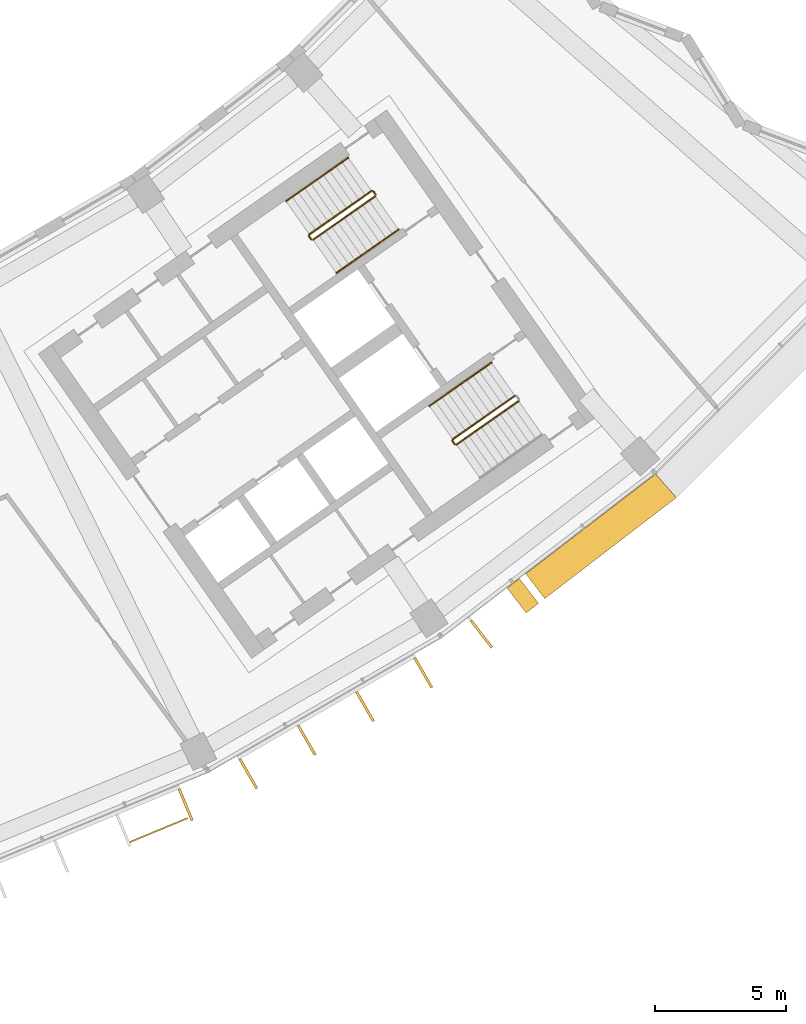
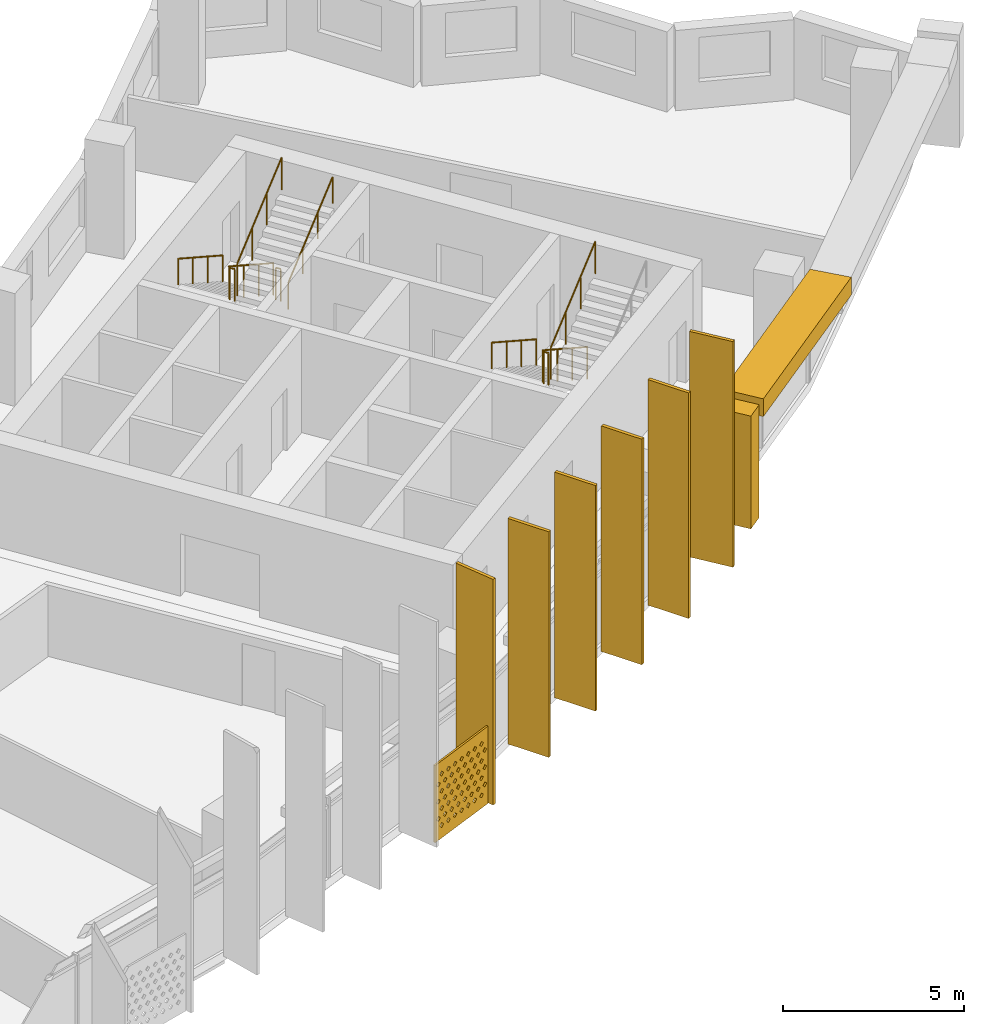
# One storey, part 27 of 28: 9 shading devices, 8 railings.
"""IFC4 building model written with IfcOpenShell, lengths in metres."""

from ifc_helpers import new_model, si_unit, direction, frame, origin, origin_2d, place, context, subcontext, project, spatial, polyline, rectangle, circle, outline, extrude, material, material_profile, profile_set, type_object, element, save


model = new_model("IFC4")

# Units and contexts
model_context = context("Model", 3, precision=1e-05, world=origin(), true_north=direction((0.0, 1.0)))
body_context = subcontext(model_context, "Body", "Model", "MODEL_VIEW")
ifc_project = project(units=[si_unit("LENGTHUNIT", "METRE"), si_unit("AREAUNIT", "SQUARE_METRE"), si_unit("VOLUMEUNIT", "CUBIC_METRE"), si_unit("PLANEANGLEUNIT", "RADIAN"), si_unit("MASSUNIT", "GRAM", prefix="KILO")], contexts=[model_context])

# Site, building, storey
site_placement = place(None, origin())
site = spatial("IfcSite", under=ifc_project, at=site_placement, CompositionType="ELEMENT")
building_placement = place(site_placement, origin())
building = spatial("IfcBuilding", under=site, at=building_placement, Name="Qamariyya Broadcast Tower", CompositionType="ELEMENT")
storey_placement = place(building_placement, frame((0.0, 0.0, 218.89990234375)))
storey = spatial("IfcBuildingStorey", under=building, at=storey_placement, Name="L52", CompositionType="ELEMENT", Elevation=218.89990234375)

# Shading devices
ifc_material_1 = material(Name="Steel S355 powder coated deep red", Category="steel")
shading_device_type_1 = type_object("IfcShadingDeviceType", Name="Deep red frame, powder coated steel box section", PredefinedType="USERDEFINED", material=ifc_material_1)
shading_device_1_placement = place(storey_placement, origin())
element("IfcShadingDevice", 1, at=shading_device_1_placement, inside=storey, type_object=shading_device_type_1, Name="e-frm-B4-F4-posta-L52", ObjectType="FRAME", PredefinedType="USERDEFINED", context=body_context, shape_type="SweptSolid", body=[
    extrude(outline(polyline([(46.17822265625, -63.489990234375), (46.90869140625, -64.442138671875), (47.384765625, -64.076904296875), (46.654296875, -63.124755859375), (46.17822265625, -63.489990234375)])), origin(), (0.0, 0.0, 1.0), 3.800048828125),
])
shading_device_2_placement = place(storey_placement, frame((0.0, 0.0, 3.2001953125)))
element("IfcShadingDevice", 2, at=shading_device_2_placement, inside=storey, type_object=shading_device_type_1, Name="e-frm-B4-F4-top0", ObjectType="FRAME", PredefinedType="USERDEFINED", context=body_context, shape_type="SweptSolid", body=[
    extrude(outline(polyline([(46.892333984375, -62.942138671875), (47.622802734375, -63.894287109375), (52.650390625, -60.036376953125), (51.857666015625, -59.132080078125), (46.892333984375, -62.942138671875)])), origin(), (0.0, 0.0, 1.0), 0.599853515625),
])
ifc_material_2 = material(Name="Perforated glazed terracotta", Category="masonry")
ifc_material_profile_1 = material_profile(ifc_material_2, outline(polyline([(-1.199951171875, -1.300048828125), (1.199951171875, -1.300048828125), (1.199951171875, 1.300048828125), (-1.199951171875, 1.300048828125), (-1.199951171875, -1.300048828125)]), holes=[polyline([(-0.81494140625, -0.86669921875), (-0.89990234375, -0.78173828125), (-0.985107421875, -0.86669921875), (-0.89990234375, -0.95166015625), (-0.81494140625, -0.86669921875)]), polyline([(-0.514892578125, -0.86669921875), (-0.60009765625, -0.78173828125), (-0.68505859375, -0.86669921875), (-0.60009765625, -0.95166015625), (-0.514892578125, -0.86669921875)]), polyline([(-0.215087890625, -0.86669921875), (-0.300048828125, -0.78173828125), (-0.385009765625, -0.86669921875), (-0.300048828125, -0.95166015625), (-0.215087890625, -0.86669921875)]), polyline([(0.0849609375, -0.86669921875), (0.0, -0.78173828125), (-0.0849609375, -0.86669921875), (0.0, -0.95166015625), (0.0849609375, -0.86669921875)]), polyline([(0.385009765625, -0.86669921875), (0.300048828125, -0.78173828125), (0.215087890625, -0.86669921875), (0.300048828125, -0.95166015625), (0.385009765625, -0.86669921875)]), polyline([(0.68505859375, -0.86669921875), (0.60009765625, -0.78173828125), (0.514892578125, -0.86669921875), (0.60009765625, -0.95166015625), (0.68505859375, -0.86669921875)]), polyline([(0.985107421875, -0.86669921875), (0.89990234375, -0.78173828125), (0.81494140625, -0.86669921875), (0.89990234375, -0.95166015625), (0.985107421875, -0.86669921875)]), polyline([(-0.965087890625, -0.577880859375), (-1.050048828125, -0.49267578125), (-1.135009765625, -0.577880859375), (-1.050048828125, -0.662841796875), (-0.965087890625, -0.577880859375)]), polyline([(-0.6650390625, -0.577880859375), (-0.75, -0.49267578125), (-0.8349609375, -0.577880859375), (-0.75, -0.662841796875), (-0.6650390625, -0.577880859375)]), polyline([(-0.364990234375, -0.577880859375), (-0.449951171875, -0.49267578125), (-0.534912109375, -0.577880859375), (-0.449951171875, -0.662841796875), (-0.364990234375, -0.577880859375)]), polyline([(-0.06494140625, -0.577880859375), (-0.14990234375, -0.49267578125), (-0.235107421875, -0.577880859375), (-0.14990234375, -0.662841796875), (-0.06494140625, -0.577880859375)]), polyline([(0.235107421875, -0.577880859375), (0.14990234375, -0.49267578125), (0.06494140625, -0.577880859375), (0.14990234375, -0.662841796875), (0.235107421875, -0.577880859375)]), polyline([(0.534912109375, -0.577880859375), (0.449951171875, -0.49267578125), (0.364990234375, -0.577880859375), (0.449951171875, -0.662841796875), (0.534912109375, -0.577880859375)]), polyline([(0.8349609375, -0.577880859375), (0.75, -0.49267578125), (0.6650390625, -0.577880859375), (0.75, -0.662841796875), (0.8349609375, -0.577880859375)]), polyline([(1.135009765625, -0.577880859375), (1.050048828125, -0.49267578125), (0.965087890625, -0.577880859375), (1.050048828125, -0.662841796875), (1.135009765625, -0.577880859375)]), polyline([(-0.81494140625, -0.288818359375), (-0.89990234375, -0.203857421875), (-0.985107421875, -0.288818359375), (-0.89990234375, -0.373779296875), (-0.81494140625, -0.288818359375)]), polyline([(-0.514892578125, -0.288818359375), (-0.60009765625, -0.203857421875), (-0.68505859375, -0.288818359375), (-0.60009765625, -0.373779296875), (-0.514892578125, -0.288818359375)]), polyline([(-0.215087890625, -0.288818359375), (-0.300048828125, -0.203857421875), (-0.385009765625, -0.288818359375), (-0.300048828125, -0.373779296875), (-0.215087890625, -0.288818359375)]), polyline([(0.0849609375, -0.288818359375), (0.0, -0.203857421875), (-0.0849609375, -0.288818359375), (0.0, -0.373779296875), (0.0849609375, -0.288818359375)]), polyline([(0.385009765625, -0.288818359375), (0.300048828125, -0.203857421875), (0.215087890625, -0.288818359375), (0.300048828125, -0.373779296875), (0.385009765625, -0.288818359375)]), polyline([(0.68505859375, -0.288818359375), (0.60009765625, -0.203857421875), (0.514892578125, -0.288818359375), (0.60009765625, -0.373779296875), (0.68505859375, -0.288818359375)]), polyline([(0.985107421875, -0.288818359375), (0.89990234375, -0.203857421875), (0.81494140625, -0.288818359375), (0.89990234375, -0.373779296875), (0.985107421875, -0.288818359375)]), polyline([(-0.965087890625, 0.0), (-1.050048828125, 0.0849609375), (-1.135009765625, 0.0), (-1.050048828125, -0.0849609375), (-0.965087890625, 0.0)]), polyline([(-0.6650390625, 0.0), (-0.75, 0.0849609375), (-0.8349609375, 0.0), (-0.75, -0.0849609375), (-0.6650390625, 0.0)]), polyline([(-0.364990234375, 0.0), (-0.449951171875, 0.0849609375), (-0.534912109375, 0.0), (-0.449951171875, -0.0849609375), (-0.364990234375, 0.0)]), polyline([(-0.06494140625, 0.0), (-0.14990234375, 0.0849609375), (-0.235107421875, 0.0), (-0.14990234375, -0.0849609375), (-0.06494140625, 0.0)]), polyline([(0.235107421875, 0.0), (0.14990234375, 0.0849609375), (0.06494140625, 0.0), (0.14990234375, -0.0849609375), (0.235107421875, 0.0)]), polyline([(0.534912109375, 0.0), (0.449951171875, 0.0849609375), (0.364990234375, 0.0), (0.449951171875, -0.0849609375), (0.534912109375, 0.0)]), polyline([(0.8349609375, 0.0), (0.75, 0.0849609375), (0.6650390625, 0.0), (0.75, -0.0849609375), (0.8349609375, 0.0)]), polyline([(1.135009765625, 0.0), (1.050048828125, 0.0849609375), (0.965087890625, 0.0), (1.050048828125, -0.0849609375), (1.135009765625, 0.0)]), polyline([(-0.81494140625, 0.288818359375), (-0.89990234375, 0.373779296875), (-0.985107421875, 0.288818359375), (-0.89990234375, 0.203857421875), (-0.81494140625, 0.288818359375)]), polyline([(-0.514892578125, 0.288818359375), (-0.60009765625, 0.373779296875), (-0.68505859375, 0.288818359375), (-0.60009765625, 0.203857421875), (-0.514892578125, 0.288818359375)]), polyline([(-0.215087890625, 0.288818359375), (-0.300048828125, 0.373779296875), (-0.385009765625, 0.288818359375), (-0.300048828125, 0.203857421875), (-0.215087890625, 0.288818359375)]), polyline([(0.0849609375, 0.288818359375), (0.0, 0.373779296875), (-0.0849609375, 0.288818359375), (0.0, 0.203857421875), (0.0849609375, 0.288818359375)]), polyline([(0.385009765625, 0.288818359375), (0.300048828125, 0.373779296875), (0.215087890625, 0.288818359375), (0.300048828125, 0.203857421875), (0.385009765625, 0.288818359375)]), polyline([(0.68505859375, 0.288818359375), (0.60009765625, 0.373779296875), (0.514892578125, 0.288818359375), (0.60009765625, 0.203857421875), (0.68505859375, 0.288818359375)]), polyline([(0.985107421875, 0.288818359375), (0.89990234375, 0.373779296875), (0.81494140625, 0.288818359375), (0.89990234375, 0.203857421875), (0.985107421875, 0.288818359375)]), polyline([(-0.965087890625, 0.577880859375), (-1.050048828125, 0.662841796875), (-1.135009765625, 0.577880859375), (-1.050048828125, 0.49267578125), (-0.965087890625, 0.577880859375)]), polyline([(-0.6650390625, 0.577880859375), (-0.75, 0.662841796875), (-0.8349609375, 0.577880859375), (-0.75, 0.49267578125), (-0.6650390625, 0.577880859375)]), polyline([(-0.364990234375, 0.577880859375), (-0.449951171875, 0.662841796875), (-0.534912109375, 0.577880859375), (-0.449951171875, 0.49267578125), (-0.364990234375, 0.577880859375)]), polyline([(-0.06494140625, 0.577880859375), (-0.14990234375, 0.662841796875), (-0.235107421875, 0.577880859375), (-0.14990234375, 0.49267578125), (-0.06494140625, 0.577880859375)]), polyline([(0.235107421875, 0.577880859375), (0.14990234375, 0.662841796875), (0.06494140625, 0.577880859375), (0.14990234375, 0.49267578125), (0.235107421875, 0.577880859375)]), polyline([(0.534912109375, 0.577880859375), (0.449951171875, 0.662841796875), (0.364990234375, 0.577880859375), (0.449951171875, 0.49267578125), (0.534912109375, 0.577880859375)]), polyline([(0.8349609375, 0.577880859375), (0.75, 0.662841796875), (0.6650390625, 0.577880859375), (0.75, 0.49267578125), (0.8349609375, 0.577880859375)]), polyline([(1.135009765625, 0.577880859375), (1.050048828125, 0.662841796875), (0.965087890625, 0.577880859375), (1.050048828125, 0.49267578125), (1.135009765625, 0.577880859375)]), polyline([(-0.81494140625, 0.86669921875), (-0.89990234375, 0.95166015625), (-0.985107421875, 0.86669921875), (-0.89990234375, 0.78173828125), (-0.81494140625, 0.86669921875)]), polyline([(-0.514892578125, 0.86669921875), (-0.60009765625, 0.95166015625), (-0.68505859375, 0.86669921875), (-0.60009765625, 0.78173828125), (-0.514892578125, 0.86669921875)]), polyline([(-0.215087890625, 0.86669921875), (-0.300048828125, 0.95166015625), (-0.385009765625, 0.86669921875), (-0.300048828125, 0.78173828125), (-0.215087890625, 0.86669921875)]), polyline([(0.0849609375, 0.86669921875), (0.0, 0.95166015625), (-0.0849609375, 0.86669921875), (0.0, 0.78173828125), (0.0849609375, 0.86669921875)]), polyline([(0.385009765625, 0.86669921875), (0.300048828125, 0.95166015625), (0.215087890625, 0.86669921875), (0.300048828125, 0.78173828125), (0.385009765625, 0.86669921875)]), polyline([(0.68505859375, 0.86669921875), (0.60009765625, 0.95166015625), (0.514892578125, 0.86669921875), (0.60009765625, 0.78173828125), (0.68505859375, 0.86669921875)]), polyline([(0.985107421875, 0.86669921875), (0.89990234375, 0.95166015625), (0.81494140625, 0.86669921875), (0.89990234375, 0.78173828125), (0.985107421875, 0.86669921875)])]))
ifc_profile_set_1 = profile_set([ifc_material_profile_1], Name="Perforated glazed terracotta")
shading_device_type_2 = type_object("IfcShadingDeviceType", Name="Perforated terracotta screen 2400 x 2600", PredefinedType="USERDEFINED", material=ifc_profile_set_1)
shading_device_3_placement = place(storey_placement, frame((32.862548828125, -72.71044921875, 1.35009765625), z_axis=(0.382591441855, -0.923917630863, 0.0), x_axis=(0.923917630863, 0.382591441855, 0.0)))
element("IfcShadingDevice", 3, at=shading_device_3_placement, inside=storey, type_object=shading_device_type_2, Name="e-scr-L52-11-2", ObjectType="SCREEN", PredefinedType="USERDEFINED", context=body_context, shape_type="SweptSolid", body=[
    extrude(outline(polyline([(-1.199951171875, -1.300048828125), (1.199951171875, -1.300048828125), (1.199951171875, 1.300048828125), (-1.199951171875, 1.300048828125), (-1.199951171875, -1.300048828125)]), holes=[polyline([(-0.81494140625, -0.86669921875), (-0.89990234375, -0.78173828125), (-0.985107421875, -0.86669921875), (-0.89990234375, -0.95166015625), (-0.81494140625, -0.86669921875)]), polyline([(-0.514892578125, -0.86669921875), (-0.60009765625, -0.78173828125), (-0.68505859375, -0.86669921875), (-0.60009765625, -0.95166015625), (-0.514892578125, -0.86669921875)]), polyline([(-0.215087890625, -0.86669921875), (-0.300048828125, -0.78173828125), (-0.385009765625, -0.86669921875), (-0.300048828125, -0.95166015625), (-0.215087890625, -0.86669921875)]), polyline([(0.0849609375, -0.86669921875), (0.0, -0.78173828125), (-0.0849609375, -0.86669921875), (0.0, -0.95166015625), (0.0849609375, -0.86669921875)]), polyline([(0.385009765625, -0.86669921875), (0.300048828125, -0.78173828125), (0.215087890625, -0.86669921875), (0.300048828125, -0.95166015625), (0.385009765625, -0.86669921875)]), polyline([(0.68505859375, -0.86669921875), (0.60009765625, -0.78173828125), (0.514892578125, -0.86669921875), (0.60009765625, -0.95166015625), (0.68505859375, -0.86669921875)]), polyline([(0.985107421875, -0.86669921875), (0.89990234375, -0.78173828125), (0.81494140625, -0.86669921875), (0.89990234375, -0.95166015625), (0.985107421875, -0.86669921875)]), polyline([(-0.965087890625, -0.577880859375), (-1.050048828125, -0.49267578125), (-1.135009765625, -0.577880859375), (-1.050048828125, -0.662841796875), (-0.965087890625, -0.577880859375)]), polyline([(-0.6650390625, -0.577880859375), (-0.75, -0.49267578125), (-0.8349609375, -0.577880859375), (-0.75, -0.662841796875), (-0.6650390625, -0.577880859375)]), polyline([(-0.364990234375, -0.577880859375), (-0.449951171875, -0.49267578125), (-0.534912109375, -0.577880859375), (-0.449951171875, -0.662841796875), (-0.364990234375, -0.577880859375)]), polyline([(-0.06494140625, -0.577880859375), (-0.14990234375, -0.49267578125), (-0.235107421875, -0.577880859375), (-0.14990234375, -0.662841796875), (-0.06494140625, -0.577880859375)]), polyline([(0.235107421875, -0.577880859375), (0.14990234375, -0.49267578125), (0.06494140625, -0.577880859375), (0.14990234375, -0.662841796875), (0.235107421875, -0.577880859375)]), polyline([(0.534912109375, -0.577880859375), (0.449951171875, -0.49267578125), (0.364990234375, -0.577880859375), (0.449951171875, -0.662841796875), (0.534912109375, -0.577880859375)]), polyline([(0.8349609375, -0.577880859375), (0.75, -0.49267578125), (0.6650390625, -0.577880859375), (0.75, -0.662841796875), (0.8349609375, -0.577880859375)]), polyline([(1.135009765625, -0.577880859375), (1.050048828125, -0.49267578125), (0.965087890625, -0.577880859375), (1.050048828125, -0.662841796875), (1.135009765625, -0.577880859375)]), polyline([(-0.81494140625, -0.288818359375), (-0.89990234375, -0.203857421875), (-0.985107421875, -0.288818359375), (-0.89990234375, -0.373779296875), (-0.81494140625, -0.288818359375)]), polyline([(-0.514892578125, -0.288818359375), (-0.60009765625, -0.203857421875), (-0.68505859375, -0.288818359375), (-0.60009765625, -0.373779296875), (-0.514892578125, -0.288818359375)]), polyline([(-0.215087890625, -0.288818359375), (-0.300048828125, -0.203857421875), (-0.385009765625, -0.288818359375), (-0.300048828125, -0.373779296875), (-0.215087890625, -0.288818359375)]), polyline([(0.0849609375, -0.288818359375), (0.0, -0.203857421875), (-0.0849609375, -0.288818359375), (0.0, -0.373779296875), (0.0849609375, -0.288818359375)]), polyline([(0.385009765625, -0.288818359375), (0.300048828125, -0.203857421875), (0.215087890625, -0.288818359375), (0.300048828125, -0.373779296875), (0.385009765625, -0.288818359375)]), polyline([(0.68505859375, -0.288818359375), (0.60009765625, -0.203857421875), (0.514892578125, -0.288818359375), (0.60009765625, -0.373779296875), (0.68505859375, -0.288818359375)]), polyline([(0.985107421875, -0.288818359375), (0.89990234375, -0.203857421875), (0.81494140625, -0.288818359375), (0.89990234375, -0.373779296875), (0.985107421875, -0.288818359375)]), polyline([(-0.965087890625, 0.0), (-1.050048828125, 0.0849609375), (-1.135009765625, 0.0), (-1.050048828125, -0.0849609375), (-0.965087890625, 0.0)]), polyline([(-0.6650390625, 0.0), (-0.75, 0.0849609375), (-0.8349609375, 0.0), (-0.75, -0.0849609375), (-0.6650390625, 0.0)]), polyline([(-0.364990234375, 0.0), (-0.449951171875, 0.0849609375), (-0.534912109375, 0.0), (-0.449951171875, -0.0849609375), (-0.364990234375, 0.0)]), polyline([(-0.06494140625, 0.0), (-0.14990234375, 0.0849609375), (-0.235107421875, 0.0), (-0.14990234375, -0.0849609375), (-0.06494140625, 0.0)]), polyline([(0.235107421875, 0.0), (0.14990234375, 0.0849609375), (0.06494140625, 0.0), (0.14990234375, -0.0849609375), (0.235107421875, 0.0)]), polyline([(0.534912109375, 0.0), (0.449951171875, 0.0849609375), (0.364990234375, 0.0), (0.449951171875, -0.0849609375), (0.534912109375, 0.0)]), polyline([(0.8349609375, 0.0), (0.75, 0.0849609375), (0.6650390625, 0.0), (0.75, -0.0849609375), (0.8349609375, 0.0)]), polyline([(1.135009765625, 0.0), (1.050048828125, 0.0849609375), (0.965087890625, 0.0), (1.050048828125, -0.0849609375), (1.135009765625, 0.0)]), polyline([(-0.81494140625, 0.288818359375), (-0.89990234375, 0.373779296875), (-0.985107421875, 0.288818359375), (-0.89990234375, 0.203857421875), (-0.81494140625, 0.288818359375)]), polyline([(-0.514892578125, 0.288818359375), (-0.60009765625, 0.373779296875), (-0.68505859375, 0.288818359375), (-0.60009765625, 0.203857421875), (-0.514892578125, 0.288818359375)]), polyline([(-0.215087890625, 0.288818359375), (-0.300048828125, 0.373779296875), (-0.385009765625, 0.288818359375), (-0.300048828125, 0.203857421875), (-0.215087890625, 0.288818359375)]), polyline([(0.0849609375, 0.288818359375), (0.0, 0.373779296875), (-0.0849609375, 0.288818359375), (0.0, 0.203857421875), (0.0849609375, 0.288818359375)]), polyline([(0.385009765625, 0.288818359375), (0.300048828125, 0.373779296875), (0.215087890625, 0.288818359375), (0.300048828125, 0.203857421875), (0.385009765625, 0.288818359375)]), polyline([(0.68505859375, 0.288818359375), (0.60009765625, 0.373779296875), (0.514892578125, 0.288818359375), (0.60009765625, 0.203857421875), (0.68505859375, 0.288818359375)]), polyline([(0.985107421875, 0.288818359375), (0.89990234375, 0.373779296875), (0.81494140625, 0.288818359375), (0.89990234375, 0.203857421875), (0.985107421875, 0.288818359375)]), polyline([(-0.965087890625, 0.577880859375), (-1.050048828125, 0.662841796875), (-1.135009765625, 0.577880859375), (-1.050048828125, 0.49267578125), (-0.965087890625, 0.577880859375)]), polyline([(-0.6650390625, 0.577880859375), (-0.75, 0.662841796875), (-0.8349609375, 0.577880859375), (-0.75, 0.49267578125), (-0.6650390625, 0.577880859375)]), polyline([(-0.364990234375, 0.577880859375), (-0.449951171875, 0.662841796875), (-0.534912109375, 0.577880859375), (-0.449951171875, 0.49267578125), (-0.364990234375, 0.577880859375)]), polyline([(-0.06494140625, 0.577880859375), (-0.14990234375, 0.662841796875), (-0.235107421875, 0.577880859375), (-0.14990234375, 0.49267578125), (-0.06494140625, 0.577880859375)]), polyline([(0.235107421875, 0.577880859375), (0.14990234375, 0.662841796875), (0.06494140625, 0.577880859375), (0.14990234375, 0.49267578125), (0.235107421875, 0.577880859375)]), polyline([(0.534912109375, 0.577880859375), (0.449951171875, 0.662841796875), (0.364990234375, 0.577880859375), (0.449951171875, 0.49267578125), (0.534912109375, 0.577880859375)]), polyline([(0.8349609375, 0.577880859375), (0.75, 0.662841796875), (0.6650390625, 0.577880859375), (0.75, 0.49267578125), (0.8349609375, 0.577880859375)]), polyline([(1.135009765625, 0.577880859375), (1.050048828125, 0.662841796875), (0.965087890625, 0.577880859375), (1.050048828125, 0.49267578125), (1.135009765625, 0.577880859375)]), polyline([(-0.81494140625, 0.86669921875), (-0.89990234375, 0.95166015625), (-0.985107421875, 0.86669921875), (-0.89990234375, 0.78173828125), (-0.81494140625, 0.86669921875)]), polyline([(-0.514892578125, 0.86669921875), (-0.60009765625, 0.95166015625), (-0.68505859375, 0.86669921875), (-0.60009765625, 0.78173828125), (-0.514892578125, 0.86669921875)]), polyline([(-0.215087890625, 0.86669921875), (-0.300048828125, 0.95166015625), (-0.385009765625, 0.86669921875), (-0.300048828125, 0.78173828125), (-0.215087890625, 0.86669921875)]), polyline([(0.0849609375, 0.86669921875), (0.0, 0.95166015625), (-0.0849609375, 0.86669921875), (0.0, 0.78173828125), (0.0849609375, 0.86669921875)]), polyline([(0.385009765625, 0.86669921875), (0.300048828125, 0.95166015625), (0.215087890625, 0.86669921875), (0.300048828125, 0.78173828125), (0.385009765625, 0.86669921875)]), polyline([(0.68505859375, 0.86669921875), (0.60009765625, 0.95166015625), (0.514892578125, 0.86669921875), (0.60009765625, 0.78173828125), (0.68505859375, 0.86669921875)]), polyline([(0.985107421875, 0.86669921875), (0.89990234375, 0.95166015625), (0.81494140625, 0.86669921875), (0.89990234375, 0.78173828125), (0.985107421875, 0.86669921875)])]), origin(), (0.0, 0.0, 1.0), 0.06005859375),
])

# Railings
ifc_material_3 = material(Name="Painted steel", Category="steel")
railing_type_1 = type_object("IfcRailingType", Name="Stair guard", PredefinedType="GUARDRAIL", material=ifc_material_3)
railing_1_placement = place(storey_placement, frame((41.003173828125, -48.320068359375, 0.1728515625)))
element("IfcRailing", 4, at=railing_1_placement, inside=storey, type_object=railing_type_1, Name="L52 ST-E2 stair guard 1", PredefinedType="GUARDRAIL", context=body_context, shape_type="SweptSolid", body=[
    extrude(circle(Radius=0.02392578125, at=origin_2d()), frame((0.0, 0.0, 1.076171875), z_axis=(-0.703770094002, -0.492783725636, 0.511734163933), x_axis=(0.573575343427, -0.819152809562, 0.0)), (0.0, 0.0, 1.0), 3.37548828125),
    extrude(circle(Radius=0.02392578125, at=origin_2d()), frame((-2.37548828125, -1.663330078125, 2.80322265625), z_axis=(-0.172799478008, -0.984957024646, 0.0), x_axis=(0.984957024646, -0.172799478008, 0.0)), (0.0, 0.0, 1.0), 0.070556640625),
    extrude(circle(Radius=0.02392578125, at=origin_2d()), frame((-2.3876953125, -1.73291015625, 2.80322265625), z_axis=(0.572588637393, -0.819842821722, 0.0), x_axis=(0.819842821722, 0.572588637393, 0.0)), (0.0, 0.0, 1.0), 0.150146484375),
    extrude(circle(Radius=0.02099609375, at=origin_2d()), origin(), (0.0, 0.0, 1.0), 1.052001953125),
    extrude(circle(Radius=0.02099609375, at=origin_2d()), frame((-0.791748046875, -0.554443359375, 0.57568359375)), (0.0, 0.0, 1.0), 1.052001953125),
    extrude(circle(Radius=0.02099609375, at=origin_2d()), frame((-1.583740234375, -1.10888671875, 1.151611328125)), (0.0, 0.0, 1.0), 1.052001953125),
    extrude(circle(Radius=0.02099609375, at=origin_2d()), frame((-2.37548828125, -1.663330078125, 1.727294921875)), (0.0, 0.0, 1.0), 1.052001953125),
    extrude(circle(Radius=0.02099609375, at=origin_2d()), frame((-2.3876953125, -1.73291015625, 1.727294921875)), (0.0, 0.0, 1.0), 1.052001953125),
    extrude(circle(Radius=0.02099609375, at=origin_2d()), frame((-2.3017578125, -1.85595703125, 1.727294921875)), (0.0, 0.0, 1.0), 1.052001953125),
])
railing_2_placement = place(storey_placement, frame((38.771240234375, -50.188232421875, 2.07275390625)))
element("IfcRailing", 5, at=railing_2_placement, inside=storey, type_object=railing_type_1, Name="L52 ST-E2 stair guard 2", PredefinedType="GUARDRAIL", context=body_context, shape_type="SweptSolid", body=[
    extrude(circle(Radius=0.02392578125, at=origin_2d()), frame((0.0, 0.0, 1.076171875), z_axis=(0.703770094002, 0.492783725636, 0.511734163933), x_axis=(-0.573575343427, 0.819152809562, 0.0)), (0.0, 0.0, 1.0), 3.37548828125),
    extrude(circle(Radius=0.02099609375, at=origin_2d()), origin(), (0.0, 0.0, 1.0), 1.052001953125),
    extrude(circle(Radius=0.02099609375, at=origin_2d()), frame((0.791748046875, 0.554443359375, 0.57568359375)), (0.0, 0.0, 1.0), 1.052001953125),
    extrude(circle(Radius=0.02099609375, at=origin_2d()), frame((1.583740234375, 1.10888671875, 1.151611328125)), (0.0, 0.0, 1.0), 1.052001953125),
    extrude(circle(Radius=0.02099609375, at=origin_2d()), frame((2.37548828125, 1.663330078125, 1.727294921875)), (0.0, 0.0, 1.0), 1.052001953125),
])
railing_3_placement = place(storey_placement, frame((41.072998046875, -48.332275390625, 0.0)))
element("IfcRailing", 6, at=railing_3_placement, inside=storey, type_object=railing_type_1, Name="L52 ST-E2 stair guard 3", PredefinedType="GUARDRAIL", context=body_context, shape_type="SweptSolid", body=[
    extrude(circle(Radius=0.02392578125, at=origin_2d()), frame((0.0, 0.0, 1.076171875), z_axis=(0.572588637393, -0.819842821722, 0.0), x_axis=(0.819842821722, 0.572588637393, 0.0)), (0.0, 0.0, 1.0), 0.150146484375),
    extrude(circle(Radius=0.02099609375, at=origin_2d()), origin(), (0.0, 0.0, 1.0), 1.052001953125),
    extrude(circle(Radius=0.02099609375, at=origin_2d()), frame((0.0859375, -0.123046875, 0.0)), (0.0, 0.0, 1.0), 1.052001953125),
])
railing_4_placement = place(storey_placement, frame((46.48095703125, -56.14306640625, 0.1728515625)))
element("IfcRailing", 7, at=railing_4_placement, inside=storey, type_object=railing_type_1, Name="L52 ST-E1 stair guard 1", PredefinedType="GUARDRAIL", context=body_context, shape_type="SweptSolid", body=[
    extrude(circle(Radius=0.02392578125, at=origin_2d()), frame((0.0, 0.0, 1.076171875), z_axis=(-0.703770094002, -0.492783725636, 0.511734163933), x_axis=(0.573575343427, -0.819152809562, 0.0)), (0.0, 0.0, 1.0), 3.37548828125),
    extrude(circle(Radius=0.02392578125, at=origin_2d()), frame((-2.37548828125, -1.663330078125, 2.80322265625), z_axis=(-0.176149252506, -0.984363469884, 0.0), x_axis=(0.984363469884, -0.176149252506, 0.0)), (0.0, 0.0, 1.0), 0.07080078125),
    extrude(circle(Radius=0.02392578125, at=origin_2d()), frame((-2.387939453125, -1.73291015625, 2.80322265625), z_axis=(0.574444878118, -0.818543268254, 0.0), x_axis=(0.818543268254, 0.574444878118, 0.0)), (0.0, 0.0, 1.0), 0.150146484375),
    extrude(circle(Radius=0.02099609375, at=origin_2d()), origin(), (0.0, 0.0, 1.0), 1.052001953125),
    extrude(circle(Radius=0.02099609375, at=origin_2d()), frame((-0.791748046875, -0.554443359375, 0.57568359375)), (0.0, 0.0, 1.0), 1.052001953125),
    extrude(circle(Radius=0.02099609375, at=origin_2d()), frame((-1.583740234375, -1.10888671875, 1.151611328125)), (0.0, 0.0, 1.0), 1.052001953125),
    extrude(circle(Radius=0.02099609375, at=origin_2d()), frame((-2.37548828125, -1.663330078125, 1.727294921875)), (0.0, 0.0, 1.0), 1.052001953125),
    extrude(circle(Radius=0.02099609375, at=origin_2d()), frame((-2.387939453125, -1.73291015625, 1.727294921875)), (0.0, 0.0, 1.0), 1.052001953125),
    extrude(circle(Radius=0.02099609375, at=origin_2d()), frame((-2.3017578125, -1.855712890625, 1.727294921875)), (0.0, 0.0, 1.0), 1.052001953125),
])
railing_5_placement = place(storey_placement, frame((44.248779296875, -58.01123046875, 2.07275390625)))
element("IfcRailing", 8, at=railing_5_placement, inside=storey, type_object=railing_type_1, Name="L52 ST-E1 stair guard 2", PredefinedType="GUARDRAIL", context=body_context, shape_type="SweptSolid", body=[
    extrude(circle(Radius=0.02392578125, at=origin_2d()), frame((0.0, 0.0, 1.076171875), z_axis=(0.703745009021, 0.492838488332, 0.511715923826), x_axis=(-0.573631830683, 0.819113253969, 0.0)), (0.0, 0.0, 1.0), 3.37548828125),
    extrude(circle(Radius=0.02099609375, at=origin_2d()), origin(), (0.0, 0.0, 1.0), 1.052001953125),
    extrude(circle(Radius=0.02099609375, at=origin_2d()), frame((0.791748046875, 0.554443359375, 0.57568359375)), (0.0, 0.0, 1.0), 1.052001953125),
    extrude(circle(Radius=0.02099609375, at=origin_2d()), frame((1.583740234375, 1.109130859375, 1.151611328125)), (0.0, 0.0, 1.0), 1.052001953125),
    extrude(circle(Radius=0.02099609375, at=origin_2d()), frame((2.37548828125, 1.66357421875, 1.727294921875)), (0.0, 0.0, 1.0), 1.052001953125),
])
ifc_material_4 = material(Name="Stainless steel", Category="steel")
railing_type_2 = type_object("IfcRailingType", Name="Stair handrail", PredefinedType="HANDRAIL", material=ifc_material_4)
railing_6_placement = place(storey_placement, frame((40.1142578125, -47.05029296875, 0.1728515625)))
element("IfcRailing", 9, at=railing_6_placement, inside=storey, type_object=railing_type_2, Name="L52 ST-E2 stair handrail 1", PredefinedType="HANDRAIL", context=body_context, shape_type="SweptSolid", body=[
    extrude(circle(Radius=0.02392578125, at=origin_2d()), frame((0.0, 0.0, 0.8759765625), z_axis=(-0.703745009021, -0.492838488332, 0.511715923826), x_axis=(0.573631830683, -0.819113253969, 0.0)), (0.0, 0.0, 1.0), 3.37548828125),
    extrude(circle(Radius=0.02099609375, at=origin_2d()), origin(), (0.0, 0.0, 1.0), 0.851806640625),
    extrude(circle(Radius=0.02099609375, at=origin_2d()), frame((-0.791748046875, -0.554443359375, 0.57568359375)), (0.0, 0.0, 1.0), 0.851806640625),
    extrude(circle(Radius=0.02099609375, at=origin_2d()), frame((-1.583740234375, -1.109130859375, 1.151611328125)), (0.0, 0.0, 1.0), 0.851806640625),
    extrude(circle(Radius=0.02099609375, at=origin_2d()), frame((-2.37548828125, -1.66357421875, 1.727294921875)), (0.0, 0.0, 1.0), 0.851806640625),
])
railing_7_placement = place(storey_placement, frame((39.66015625, -51.4580078125, 2.07275390625)))
element("IfcRailing", 10, at=railing_7_placement, inside=storey, type_object=railing_type_2, Name="L52 ST-E2 stair handrail 2", PredefinedType="HANDRAIL", context=body_context, shape_type="SweptSolid", body=[
    extrude(circle(Radius=0.02392578125, at=origin_2d()), frame((0.0, 0.0, 0.8759765625), z_axis=(0.703745009021, 0.492838488332, 0.511715923826), x_axis=(-0.573631830683, 0.819113253969, 0.0)), (0.0, 0.0, 1.0), 3.37548828125),
    extrude(circle(Radius=0.02099609375, at=origin_2d()), origin(), (0.0, 0.0, 1.0), 0.851806640625),
    extrude(circle(Radius=0.02099609375, at=origin_2d()), frame((0.791748046875, 0.554443359375, 0.57568359375)), (0.0, 0.0, 1.0), 0.851806640625),
    extrude(circle(Radius=0.02099609375, at=origin_2d()), frame((1.583740234375, 1.109130859375, 1.151611328125)), (0.0, 0.0, 1.0), 0.851806640625),
    extrude(circle(Radius=0.02099609375, at=origin_2d()), frame((2.37548828125, 1.66357421875, 1.727294921875)), (0.0, 0.0, 1.0), 0.851806640625),
])
railing_8_placement = place(storey_placement, frame((45.591796875, -54.873291015625, 0.1728515625)))
element("IfcRailing", 11, at=railing_8_placement, inside=storey, type_object=railing_type_2, Name="L52 ST-E1 stair handrail 1", PredefinedType="HANDRAIL", context=body_context, shape_type="SweptSolid", body=[
    extrude(circle(Radius=0.02392578125, at=origin_2d()), frame((0.0, 0.0, 0.8759765625), z_axis=(-0.703770094002, -0.492783725636, 0.511734163933), x_axis=(0.573575343427, -0.819152809562, 0.0)), (0.0, 0.0, 1.0), 3.37548828125),
    extrude(circle(Radius=0.02099609375, at=origin_2d()), origin(), (0.0, 0.0, 1.0), 0.851806640625),
    extrude(circle(Radius=0.02099609375, at=origin_2d()), frame((-0.791748046875, -0.554443359375, 0.57568359375)), (0.0, 0.0, 1.0), 0.851806640625),
    extrude(circle(Radius=0.02099609375, at=origin_2d()), frame((-1.583740234375, -1.10888671875, 1.151611328125)), (0.0, 0.0, 1.0), 0.851806640625),
    extrude(circle(Radius=0.02099609375, at=origin_2d()), frame((-2.37548828125, -1.663330078125, 1.727294921875)), (0.0, 0.0, 1.0), 0.851806640625),
])

# Shading devices
ifc_material_5 = material(Name="Glazed terracotta", Category="masonry")
ifc_material_profile_2 = material_profile(ifc_material_5, rectangle(XDim=1.300048828125, YDim=0.10009765625, at=origin_2d()))
ifc_profile_set_2 = profile_set([ifc_material_profile_2], Name="Glazed terracotta")
shading_device_type_3 = type_object("IfcShadingDeviceType", Name="Terracotta fin 100 x 1300", PredefinedType="USERDEFINED", material=ifc_profile_set_2)
for number, where, z_axis, x_axis, name in (
    (12, (33.904052734375, -71.770263671875, 0.0), (0.0, 0.0, 1.0), (0.382683432365, -0.923879532511, 0.0), "e-fin-L52-11-3"),
    (13, (36.2998046875, -70.5888671875, 0.0), (0.0, 0.0, 1.0), (0.5, -0.866025403784, 0.0), "e-fin-L52-12-0"),
    (14, (38.527099609375, -69.302978515625, 0.0), (0.0, 0.0, 1.0), (0.5, -0.866025403784, 0.0), "e-fin-L52-12-1"),
    (15, (40.75439453125, -68.016845703125, 0.0), (0.0, 0.0, 1.0), (0.5, -0.866025403784, 0.0), "e-fin-L52-12-2"),
    (16, (42.98193359375, -66.73095703125, 0.0), (0.0, 0.0, 1.0), (0.5, -0.866025403784, 0.0), "e-fin-L52-12-3"),
    (17, (45.202880859375, -65.246826171875, 0.0), (0.0, 0.0, 1.0), (0.608761429009, -0.793353340291, 0.0), "e-fin-L52-13-0"),
):
    element("IfcShadingDevice", number, at=place(storey_placement, frame(where, z_axis=z_axis, x_axis=x_axis)), inside=storey, type_object=shading_device_type_3, Name=name, ObjectType="FIN", PredefinedType="USERDEFINED", context=body_context, shape_type="SweptSolid", body=[
        extrude(rectangle(XDim=1.300048828125, YDim=0.10009765625, at=origin_2d()), origin(), (0.0, 0.0, 1.0), 7.60009765625),
    ])

save(model, "model.ifc")
